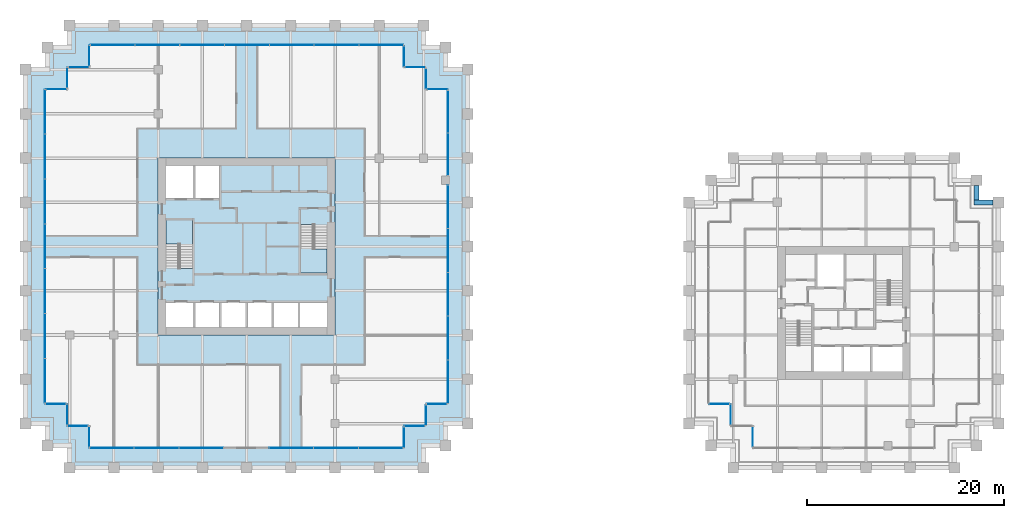
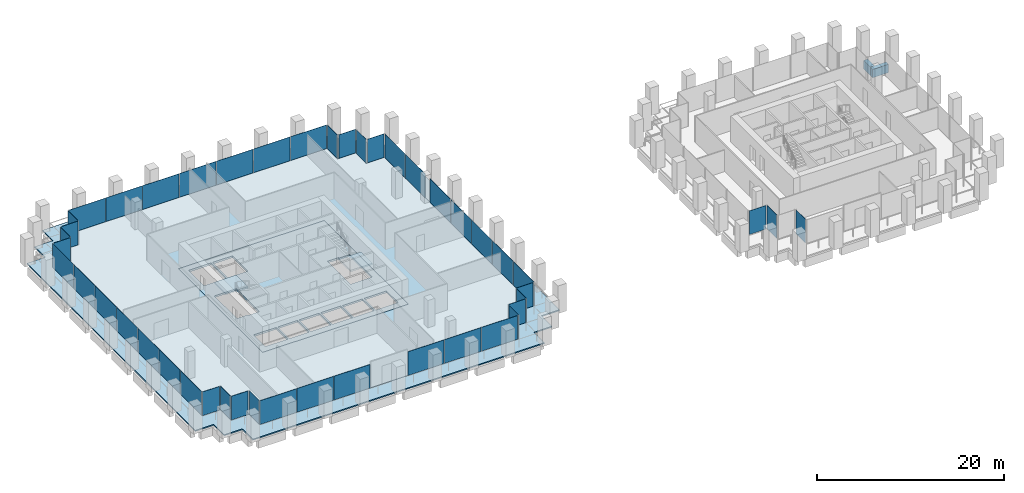
# One storey, part 48 of 54: 46 plates, 5 slabs, 2 beams, 27 elements without a shape of their own.
"""IFC4 building model written with IfcOpenShell, lengths in metres."""

from ifc_helpers import new_model, si_unit, direction, frame, origin, origin_2d, place, context, subcontext, project, spatial, polyline, rectangle, outline, extrude, material, layer, layer_set, material_profile, profile_set, type_object, element, aggregate, save


model = new_model("IFC4")

# Units and contexts
model_context = context("Model", 3, precision=1e-05, world=origin(), true_north=direction((0.0, 1.0)))
body_context = subcontext(model_context, "Body", "Model", "MODEL_VIEW")
ifc_project = project(units=[si_unit("LENGTHUNIT", "METRE"), si_unit("AREAUNIT", "SQUARE_METRE"), si_unit("VOLUMEUNIT", "CUBIC_METRE"), si_unit("PLANEANGLEUNIT", "RADIAN"), si_unit("MASSUNIT", "GRAM", prefix="KILO")], contexts=[model_context])

# Site, building, storey
site_placement = place(None, origin())
site = spatial("IfcSite", under=ifc_project, at=site_placement, CompositionType="ELEMENT")
building_placement = place(site_placement, origin())
building = spatial("IfcBuilding", under=site, at=building_placement, Name="Altepetl Exchange Towers", CompositionType="ELEMENT")
storey_placement = place(building_placement, frame((0.0, 0.0, 61.800048828125)))
storey = spatial("IfcBuildingStorey", under=building, at=storey_placement, Name="L14", CompositionType="ELEMENT", Elevation=61.800048828125)

# Beams
ifc_material_1 = material(Name="Concrete C50/60 precast with cantera amarilla facing", Category="concrete")
ifc_material_profile = material_profile(ifc_material_1, rectangle(XDim=0.5, YDim=1.10009765625, at=origin_2d()), Name="500 x 1100")
ifc_profile_set = profile_set([ifc_material_profile], Name="Concrete C50/60 precast with cantera amarilla facing")
beam_type = type_object("IfcBeamType", Name="Spandrel beam 500x1100 cantera amarilla", PredefinedType="SPANDREL", material=ifc_profile_set)
beam_1_placement = place(storey_placement, frame((125.449951171875, 54.0, -0.699951171875), z_axis=(-1.0, 0.0, 0.0), x_axis=(0.0, -1.0, 0.0)))
element("IfcBeam", 1, at=beam_1_placement, inside=storey, type_object=beam_type, Name="sp:B:L14:014", PredefinedType="SPANDREL", context=body_context, shape_type="SweptSolid", body=[
    extrude(rectangle(XDim=0.5, YDim=1.10009765625, at=origin_2d()), origin(), (0.0, 0.0, 1.0), 1.949951171875),
])
beam_2_placement = place(storey_placement, frame((123.75, 54.25, -0.699951171875), z_axis=(0.0, 1.0, 0.0), x_axis=(-1.0, 0.0, 0.0)))
element("IfcBeam", 2, at=beam_2_placement, inside=storey, type_object=beam_type, Name="sp:B:L14:015", PredefinedType="SPANDREL", context=body_context, shape_type="SweptSolid", body=[
    extrude(rectangle(XDim=0.5, YDim=1.10009765625, at=origin_2d()), origin(), (0.0, 0.0, 1.0), 1.449951171875),
])

# Slabs
ifc_material_2 = material(Name="Concrete C40/50", Category="concrete")
ifc_layer_1 = layer(ifc_material_2, 0.14990234375)
ifc_layer_set_1 = layer_set([ifc_layer_1], Name="Concrete C40/50")
slab_type_1 = type_object("IfcSlabType", Name="Composite floor slab 150", PredefinedType="FLOOR", material=ifc_layer_set_1)
slab_1_placement = place(storey_placement, frame((0.0, 0.0, -0.150146484375)))
element("IfcSlab", 3, at=slab_1_placement, inside=storey, type_object=slab_type_1, Name="slab:A:L14:strip0", PredefinedType="FLOOR", context=body_context, shape_type="SweptSolid", body=[
    extrude(outline(polyline([(31.25, 67.75), (31.25, 65.5), (29.0, 65.5), (29.0, 33.5), (31.25, 33.5), (31.25, 31.25), (33.5, 31.25), (33.5, 29.0), (65.5, 29.0), (65.5, 31.25), (67.75, 31.25), (67.75, 33.5), (70.0, 33.5), (70.0, 65.5), (67.75, 65.5), (67.75, 67.75), (65.5, 67.75), (65.5, 70.0), (33.5, 70.0), (33.5, 67.75), (31.25, 67.75)]), holes=[polyline([(58.5, 58.5), (58.5, 40.5), (40.5, 40.5), (40.5, 58.5), (58.5, 58.5)])]), origin(), (0.0, 0.0, 1.0), 0.150146484375),
])
ifc_layer_2 = layer(ifc_material_2, 0.25)
ifc_layer_set_2 = layer_set([ifc_layer_2], Name="Concrete C40/50")
slab_type_2 = type_object("IfcSlabType", Name="Core floor slab 250", PredefinedType="FLOOR", material=ifc_layer_set_2)
slab_2_placement = place(storey_placement, frame((0.0, 0.0, -0.25)))
element("IfcSlab", 4, at=slab_2_placement, inside=storey, type_object=slab_type_2, Name="slab:A:L14:core0", PredefinedType="FLOOR", context=body_context, shape_type="SweptSolid", body=[
    extrude(outline(polyline([(40.5, 40.5), (58.5, 40.5), (58.5, 58.5), (40.5, 58.5), (40.5, 40.5)]), holes=[polyline([(41.300048828125, 43.800048828125), (44.06689453125, 43.800048828125), (44.06689453125, 41.300048828125), (41.300048828125, 41.300048828125), (41.300048828125, 43.800048828125)]), polyline([(44.26708984375, 43.800048828125), (46.73291015625, 43.800048828125), (46.73291015625, 41.300048828125), (44.26708984375, 41.300048828125), (44.26708984375, 43.800048828125)]), polyline([(46.93310546875, 43.800048828125), (49.39990234375, 43.800048828125), (49.39990234375, 41.300048828125), (46.93310546875, 41.300048828125), (46.93310546875, 43.800048828125)]), polyline([(52.06689453125, 43.800048828125), (52.06689453125, 41.300048828125), (49.60009765625, 41.300048828125), (49.60009765625, 43.800048828125), (52.06689453125, 43.800048828125)]), polyline([(54.73291015625, 43.800048828125), (54.73291015625, 41.300048828125), (52.26708984375, 41.300048828125), (52.26708984375, 43.800048828125), (54.73291015625, 43.800048828125)]), polyline([(54.93310546875, 43.800048828125), (57.699951171875, 43.800048828125), (57.699951171875, 41.300048828125), (54.93310546875, 41.300048828125), (54.93310546875, 43.800048828125)]), polyline([(55.0, 51.7490234375), (56.39990234375, 51.7490234375), (56.39990234375, 51.64990234375), (57.699951171875, 51.64990234375), (57.699951171875, 46.800048828125), (55.0, 46.800048828125), (55.0, 51.7490234375)]), polyline([(44.0, 47.2509765625), (42.60009765625, 47.2509765625), (42.60009765625, 47.35009765625), (41.300048828125, 47.35009765625), (41.300048828125, 52.199951171875), (44.0, 52.199951171875), (44.0, 47.2509765625)]), polyline([(44.06689453125, 57.699951171875), (44.06689453125, 54.39990234375), (41.300048828125, 54.39990234375), (41.300048828125, 57.699951171875), (44.06689453125, 57.699951171875)]), polyline([(46.73291015625, 57.699951171875), (46.73291015625, 54.39990234375), (44.26708984375, 54.39990234375), (44.26708984375, 57.699951171875), (46.73291015625, 57.699951171875)])]), origin(), (0.0, 0.0, 1.0), 0.25),
])

# Curtain wall, plate
ifc_material_3 = material(Name="Aluminium 6063-T6 glazing", Category="aluminium")
curtain_wall_type = type_object("IfcCurtainWallType", Name="Loggia glazing system", PredefinedType="NOTDEFINED", material=ifc_material_3)
curtain_wall_1_placement = place(storey_placement, origin())
curtain_wall_1 = element("IfcCurtainWall", 5, at=curtain_wall_1_placement, inside=storey, type_object=curtain_wall_type, Name="CW1 run", PredefinedType="NOTDEFINED")
ifc_material_4 = material(Name="Glass 6-16-6 low emissivity", Category="glass")
ifc_layer_3 = layer(ifc_material_4, 0.028076171875)
ifc_layer_set_3 = layer_set([ifc_layer_3], Name="Glass 6-16-6 low emissivity")
plate_type = type_object("IfcPlateType", Name="Glass panel 28 double glazed", PredefinedType="CURTAIN_PANEL", material=ifc_layer_set_3)
plate_1_placement = place(storey_placement, frame((30.16259765625, 65.5, 0.0), z_axis=(0.0, 0.0, 1.0), x_axis=(-1.0, 0.0, 0.0)))
plate_1 = element("IfcPlate", 6, at=plate_1_placement, type_object=plate_type, Name="GP1 panel", PredefinedType="CURTAIN_PANEL", context=body_context, shape_type="SweptSolid", body=[
    extrude(rectangle(XDim=2.054931640625, YDim=0.028076171875, at=origin_2d()), origin(), (0.0, 0.0, 1.0), 3.10009765625),
])
aggregate(curtain_wall_1, [plate_1])

# Curtain wall, plates
curtain_wall_2_placement = place(storey_placement, origin())
curtain_wall_2 = element("IfcCurtainWall", 7, at=curtain_wall_2_placement, inside=storey, type_object=curtain_wall_type, Name="CW1 run", PredefinedType="NOTDEFINED")
plate_2_placement = place(storey_placement, frame((29.0, 63.20458984375, 0.0), z_axis=(0.0, 0.0, 1.0), x_axis=(0.0, -1.0, 0.0)))
plate_2 = element("IfcPlate", 8, at=plate_2_placement, type_object=plate_type, Name="GP1 panel", PredefinedType="CURTAIN_PANEL", context=body_context, shape_type="SweptSolid", body=[
    extrude(rectangle(XDim=4.470703125, YDim=0.028076171875, at=origin_2d()), origin(), (0.0, 0.0, 1.0), 3.10009765625),
])
plate_3_placement = place(storey_placement, frame((29.0, 58.658935546875, 0.0), z_axis=(0.0, 0.0, 1.0), x_axis=(0.0, -1.0, 0.0)))
plate_3 = element("IfcPlate", 9, at=plate_3_placement, type_object=plate_type, Name="GP1 panel", PredefinedType="CURTAIN_PANEL", context=body_context, shape_type="SweptSolid", body=[
    extrude(rectangle(XDim=4.500732421875, YDim=0.028076171875, at=origin_2d()), origin(), (0.0, 0.0, 1.0), 3.10009765625),
])
plate_4_placement = place(storey_placement, frame((29.0, 54.09814453125, 0.0), z_axis=(0.0, 0.0, 1.0), x_axis=(0.0, -1.0, 0.0)))
plate_4 = element("IfcPlate", 10, at=plate_4_placement, type_object=plate_type, Name="GP1 panel", PredefinedType="CURTAIN_PANEL", context=body_context, shape_type="SweptSolid", body=[
    extrude(rectangle(XDim=4.500732421875, YDim=0.028076171875, at=origin_2d()), origin(), (0.0, 0.0, 1.0), 3.10009765625),
])
plate_5_placement = place(storey_placement, frame((29.0, 49.53759765625, 0.0), z_axis=(0.0, 0.0, 1.0), x_axis=(0.0, -1.0, 0.0)))
plate_5 = element("IfcPlate", 11, at=plate_5_placement, type_object=plate_type, Name="GP1 panel", PredefinedType="CURTAIN_PANEL", context=body_context, shape_type="SweptSolid", body=[
    extrude(rectangle(XDim=4.500732421875, YDim=0.028076171875, at=origin_2d()), origin(), (0.0, 0.0, 1.0), 3.10009765625),
])
plate_6_placement = place(storey_placement, frame((29.0, 44.976806640625, 0.0), z_axis=(0.0, 0.0, 1.0), x_axis=(0.0, -1.0, 0.0)))
plate_6 = element("IfcPlate", 12, at=plate_6_placement, type_object=plate_type, Name="GP1 panel", PredefinedType="CURTAIN_PANEL", context=body_context, shape_type="SweptSolid", body=[
    extrude(rectangle(XDim=4.500732421875, YDim=0.028076171875, at=origin_2d()), origin(), (0.0, 0.0, 1.0), 3.10009765625),
])
plate_7_placement = place(storey_placement, frame((29.0, 40.416015625, 0.0), z_axis=(0.0, 0.0, 1.0), x_axis=(0.0, -1.0, 0.0)))
plate_7 = element("IfcPlate", 13, at=plate_7_placement, type_object=plate_type, Name="GP1 panel", PredefinedType="CURTAIN_PANEL", context=body_context, shape_type="SweptSolid", body=[
    extrude(rectangle(XDim=4.500732421875, YDim=0.028076171875, at=origin_2d()), origin(), (0.0, 0.0, 1.0), 3.10009765625),
])
plate_8_placement = place(storey_placement, frame((29.0, 35.870361328125, 0.0), z_axis=(0.0, 0.0, 1.0), x_axis=(0.0, -1.0, 0.0)))
plate_8 = element("IfcPlate", 14, at=plate_8_placement, type_object=plate_type, Name="GP1 panel", PredefinedType="CURTAIN_PANEL", context=body_context, shape_type="SweptSolid", body=[
    extrude(rectangle(XDim=4.470703125, YDim=0.028076171875, at=origin_2d()), origin(), (0.0, 0.0, 1.0), 3.10009765625),
])
aggregate(curtain_wall_2, [plate_2, plate_3, plate_4, plate_5, plate_6, plate_7, plate_8])

# Curtain wall, plate
curtain_wall_3_placement = place(storey_placement, origin())
curtain_wall_3 = element("IfcCurtainWall", 15, at=curtain_wall_3_placement, inside=storey, type_object=curtain_wall_type, Name="CW1 run", PredefinedType="NOTDEFINED")
plate_9_placement = place(storey_placement, frame((30.08740234375, 33.5, 0.0)))
plate_9 = element("IfcPlate", 16, at=plate_9_placement, type_object=plate_type, Name="GP1 panel", PredefinedType="CURTAIN_PANEL", context=body_context, shape_type="SweptSolid", body=[
    extrude(rectangle(XDim=2.054931640625, YDim=0.028076171875, at=origin_2d()), origin(), (0.0, 0.0, 1.0), 3.10009765625),
])
aggregate(curtain_wall_3, [plate_9])

curtain_wall_4_placement = place(storey_placement, origin())
curtain_wall_4 = element("IfcCurtainWall", 17, at=curtain_wall_4_placement, inside=storey, type_object=curtain_wall_type, Name="CW1 run", PredefinedType="NOTDEFINED")
plate_10_placement = place(storey_placement, frame((31.25, 32.41259765625, 0.0), z_axis=(0.0, 0.0, 1.0), x_axis=(0.0, -1.0, 0.0)))
plate_10 = element("IfcPlate", 18, at=plate_10_placement, type_object=plate_type, Name="GP1 panel", PredefinedType="CURTAIN_PANEL", context=body_context, shape_type="SweptSolid", body=[
    extrude(rectangle(XDim=2.054931640625, YDim=0.028076171875, at=origin_2d()), origin(), (0.0, 0.0, 1.0), 3.10009765625),
])
aggregate(curtain_wall_4, [plate_10])

curtain_wall_5_placement = place(storey_placement, origin())
curtain_wall_5 = element("IfcCurtainWall", 19, at=curtain_wall_5_placement, inside=storey, type_object=curtain_wall_type, Name="CW1 run", PredefinedType="NOTDEFINED")
plate_11_placement = place(storey_placement, frame((32.33740234375, 31.25, 0.0)))
plate_11 = element("IfcPlate", 20, at=plate_11_placement, type_object=plate_type, Name="GP1 panel", PredefinedType="CURTAIN_PANEL", context=body_context, shape_type="SweptSolid", body=[
    extrude(rectangle(XDim=2.054931640625, YDim=0.028076171875, at=origin_2d()), origin(), (0.0, 0.0, 1.0), 3.10009765625),
])
aggregate(curtain_wall_5, [plate_11])

curtain_wall_6_placement = place(storey_placement, origin())
curtain_wall_6 = element("IfcCurtainWall", 21, at=curtain_wall_6_placement, inside=storey, type_object=curtain_wall_type, Name="CW1 run", PredefinedType="NOTDEFINED")
plate_12_placement = place(storey_placement, frame((33.5, 30.16259765625, 0.0), z_axis=(0.0, 0.0, 1.0), x_axis=(0.0, -1.0, 0.0)))
plate_12 = element("IfcPlate", 22, at=plate_12_placement, type_object=plate_type, Name="GP1 panel", PredefinedType="CURTAIN_PANEL", context=body_context, shape_type="SweptSolid", body=[
    extrude(rectangle(XDim=2.054931640625, YDim=0.028076171875, at=origin_2d()), origin(), (0.0, 0.0, 1.0), 3.10009765625),
])
aggregate(curtain_wall_6, [plate_12])

# Curtain wall, plates
curtain_wall_7_placement = place(storey_placement, origin())
curtain_wall_7 = element("IfcCurtainWall", 23, at=curtain_wall_7_placement, inside=storey, type_object=curtain_wall_type, Name="CW1 run", PredefinedType="NOTDEFINED")
plate_13_placement = place(storey_placement, frame((35.79541015625, 29.0, 0.0)))
plate_13 = element("IfcPlate", 24, at=plate_13_placement, type_object=plate_type, Name="GP1 panel", PredefinedType="CURTAIN_PANEL", context=body_context, shape_type="SweptSolid", body=[
    extrude(rectangle(XDim=4.470703125, YDim=0.028076171875, at=origin_2d()), origin(), (0.0, 0.0, 1.0), 3.10009765625),
])
plate_14_placement = place(storey_placement, frame((40.341064453125, 29.0, 0.0)))
plate_14 = element("IfcPlate", 25, at=plate_14_placement, type_object=plate_type, Name="GP1 panel", PredefinedType="CURTAIN_PANEL", context=body_context, shape_type="SweptSolid", body=[
    extrude(rectangle(XDim=4.500732421875, YDim=0.028076171875, at=origin_2d()), origin(), (0.0, 0.0, 1.0), 3.10009765625),
])
plate_15_placement = place(storey_placement, frame((44.88671875, 29.0, 0.0)))
plate_15 = element("IfcPlate", 26, at=plate_15_placement, type_object=plate_type, Name="GP1 panel", PredefinedType="CURTAIN_PANEL", context=body_context, shape_type="SweptSolid", body=[
    extrude(rectangle(XDim=4.470703125, YDim=0.028076171875, at=origin_2d()), origin(), (0.0, 0.0, 1.0), 3.10009765625),
])
aggregate(curtain_wall_7, [plate_13, plate_14, plate_15])

curtain_wall_8_placement = place(storey_placement, origin())
curtain_wall_8 = element("IfcCurtainWall", 27, at=curtain_wall_8_placement, inside=storey, type_object=curtain_wall_type, Name="CW1 run", PredefinedType="NOTDEFINED")
plate_16_placement = place(storey_placement, frame((54.038330078125, 29.0, 0.0)))
plate_16 = element("IfcPlate", 28, at=plate_16_placement, type_object=plate_type, Name="GP1 panel", PredefinedType="CURTAIN_PANEL", context=body_context, shape_type="SweptSolid", body=[
    extrude(rectangle(XDim=4.470703125, YDim=0.028076171875, at=origin_2d()), origin(), (0.0, 0.0, 1.0), 3.10009765625),
])
plate_17_placement = place(storey_placement, frame((58.583984375, 29.0, 0.0)))
plate_17 = element("IfcPlate", 29, at=plate_17_placement, type_object=plate_type, Name="GP1 panel", PredefinedType="CURTAIN_PANEL", context=body_context, shape_type="SweptSolid", body=[
    extrude(rectangle(XDim=4.500732421875, YDim=0.028076171875, at=origin_2d()), origin(), (0.0, 0.0, 1.0), 3.10009765625),
])
plate_18_placement = place(storey_placement, frame((63.129638671875, 29.0, 0.0)))
plate_18 = element("IfcPlate", 30, at=plate_18_placement, type_object=plate_type, Name="GP1 panel", PredefinedType="CURTAIN_PANEL", context=body_context, shape_type="SweptSolid", body=[
    extrude(rectangle(XDim=4.470703125, YDim=0.028076171875, at=origin_2d()), origin(), (0.0, 0.0, 1.0), 3.10009765625),
])
aggregate(curtain_wall_8, [plate_16, plate_17, plate_18])

# Curtain wall, plate
curtain_wall_9_placement = place(storey_placement, origin())
curtain_wall_9 = element("IfcCurtainWall", 31, at=curtain_wall_9_placement, inside=storey, type_object=curtain_wall_type, Name="CW1 run", PredefinedType="NOTDEFINED")
plate_19_placement = place(storey_placement, frame((65.5, 30.08740234375, 0.0), z_axis=(0.0, 0.0, 1.0), x_axis=(0.0, 1.0, 0.0)))
plate_19 = element("IfcPlate", 32, at=plate_19_placement, type_object=plate_type, Name="GP1 panel", PredefinedType="CURTAIN_PANEL", context=body_context, shape_type="SweptSolid", body=[
    extrude(rectangle(XDim=2.054931640625, YDim=0.028076171875, at=origin_2d()), origin(), (0.0, 0.0, 1.0), 3.10009765625),
])
aggregate(curtain_wall_9, [plate_19])

curtain_wall_10_placement = place(storey_placement, origin())
curtain_wall_10 = element("IfcCurtainWall", 33, at=curtain_wall_10_placement, inside=storey, type_object=curtain_wall_type, Name="CW1 run", PredefinedType="NOTDEFINED")
plate_20_placement = place(storey_placement, frame((66.58740234375, 31.25, 0.0)))
plate_20 = element("IfcPlate", 34, at=plate_20_placement, type_object=plate_type, Name="GP1 panel", PredefinedType="CURTAIN_PANEL", context=body_context, shape_type="SweptSolid", body=[
    extrude(rectangle(XDim=2.054931640625, YDim=0.028076171875, at=origin_2d()), origin(), (0.0, 0.0, 1.0), 3.10009765625),
])
aggregate(curtain_wall_10, [plate_20])

curtain_wall_11_placement = place(storey_placement, origin())
curtain_wall_11 = element("IfcCurtainWall", 35, at=curtain_wall_11_placement, inside=storey, type_object=curtain_wall_type, Name="CW1 run", PredefinedType="NOTDEFINED")
plate_21_placement = place(storey_placement, frame((67.75, 32.33740234375, 0.0), z_axis=(0.0, 0.0, 1.0), x_axis=(0.0, 1.0, 0.0)))
plate_21 = element("IfcPlate", 36, at=plate_21_placement, type_object=plate_type, Name="GP1 panel", PredefinedType="CURTAIN_PANEL", context=body_context, shape_type="SweptSolid", body=[
    extrude(rectangle(XDim=2.054931640625, YDim=0.028076171875, at=origin_2d()), origin(), (0.0, 0.0, 1.0), 3.10009765625),
])
aggregate(curtain_wall_11, [plate_21])

curtain_wall_12_placement = place(storey_placement, origin())
curtain_wall_12 = element("IfcCurtainWall", 37, at=curtain_wall_12_placement, inside=storey, type_object=curtain_wall_type, Name="CW1 run", PredefinedType="NOTDEFINED")
plate_22_placement = place(storey_placement, frame((68.83740234375, 33.5, 0.0)))
plate_22 = element("IfcPlate", 38, at=plate_22_placement, type_object=plate_type, Name="GP1 panel", PredefinedType="CURTAIN_PANEL", context=body_context, shape_type="SweptSolid", body=[
    extrude(rectangle(XDim=2.054931640625, YDim=0.028076171875, at=origin_2d()), origin(), (0.0, 0.0, 1.0), 3.10009765625),
])
aggregate(curtain_wall_12, [plate_22])

# Curtain wall, plates
curtain_wall_13_placement = place(storey_placement, origin())
curtain_wall_13 = element("IfcCurtainWall", 39, at=curtain_wall_13_placement, inside=storey, type_object=curtain_wall_type, Name="CW1 run", PredefinedType="NOTDEFINED")
plate_23_placement = place(storey_placement, frame((70.0, 35.74560546875, 0.0), z_axis=(0.0, 0.0, 1.0), x_axis=(0.0, 1.0, 0.0)))
plate_23 = element("IfcPlate", 40, at=plate_23_placement, type_object=plate_type, Name="GP1 panel", PredefinedType="CURTAIN_PANEL", context=body_context, shape_type="SweptSolid", body=[
    extrude(rectangle(XDim=4.37109375, YDim=0.028076171875, at=origin_2d()), origin(), (0.0, 0.0, 1.0), 3.10009765625),
])
plate_24_placement = place(storey_placement, frame((70.0, 40.19140625, 0.0), z_axis=(0.0, 0.0, 1.0), x_axis=(0.0, 1.0, 0.0)))
plate_24 = element("IfcPlate", 41, at=plate_24_placement, type_object=plate_type, Name="GP1 panel", PredefinedType="CURTAIN_PANEL", context=body_context, shape_type="SweptSolid", body=[
    extrude(rectangle(XDim=4.40087890625, YDim=0.028076171875, at=origin_2d()), origin(), (0.0, 0.0, 1.0), 3.10009765625),
])
plate_25_placement = place(storey_placement, frame((70.0, 44.652587890625, 0.0), z_axis=(0.0, 0.0, 1.0), x_axis=(0.0, 1.0, 0.0)))
plate_25 = element("IfcPlate", 42, at=plate_25_placement, type_object=plate_type, Name="GP1 panel", PredefinedType="CURTAIN_PANEL", context=body_context, shape_type="SweptSolid", body=[
    extrude(rectangle(XDim=4.40087890625, YDim=0.028076171875, at=origin_2d()), origin(), (0.0, 0.0, 1.0), 3.10009765625),
])
plate_26_placement = place(storey_placement, frame((70.0, 49.113525390625, 0.0), z_axis=(0.0, 0.0, 1.0), x_axis=(0.0, 1.0, 0.0)))
plate_26 = element("IfcPlate", 43, at=plate_26_placement, type_object=plate_type, Name="GP1 panel", PredefinedType="CURTAIN_PANEL", context=body_context, shape_type="SweptSolid", body=[
    extrude(rectangle(XDim=4.40087890625, YDim=0.028076171875, at=origin_2d()), origin(), (0.0, 0.0, 1.0), 3.10009765625),
])
plate_27_placement = place(storey_placement, frame((70.0, 53.5595703125, 0.0), z_axis=(0.0, 0.0, 1.0), x_axis=(0.0, 1.0, 0.0)))
plate_27 = element("IfcPlate", 44, at=plate_27_placement, type_object=plate_type, Name="GP1 panel", PredefinedType="CURTAIN_PANEL", context=body_context, shape_type="SweptSolid", body=[
    extrude(rectangle(XDim=4.37109375, YDim=0.028076171875, at=origin_2d()), origin(), (0.0, 0.0, 1.0), 3.10009765625),
])
aggregate(curtain_wall_13, [plate_23, plate_24, plate_25, plate_26, plate_27])

curtain_wall_14_placement = place(storey_placement, origin())
curtain_wall_14 = element("IfcCurtainWall", 45, at=curtain_wall_14_placement, inside=storey, type_object=curtain_wall_type, Name="CW1 run", PredefinedType="NOTDEFINED")
plate_28_placement = place(storey_placement, frame((70.0, 58.892578125, 0.0), z_axis=(0.0, 0.0, 1.0), x_axis=(0.0, 1.0, 0.0)))
plate_28 = element("IfcPlate", 46, at=plate_28_placement, type_object=plate_type, Name="GP1 panel", PredefinedType="CURTAIN_PANEL", context=body_context, shape_type="SweptSolid", body=[
    extrude(rectangle(XDim=4.27490234375, YDim=0.028076171875, at=origin_2d()), origin(), (0.0, 0.0, 1.0), 3.10009765625),
])
plate_29_placement = place(storey_placement, frame((70.0, 63.2275390625, 0.0), z_axis=(0.0, 0.0, 1.0), x_axis=(0.0, 1.0, 0.0)))
plate_29 = element("IfcPlate", 47, at=plate_29_placement, type_object=plate_type, Name="GP1 panel", PredefinedType="CURTAIN_PANEL", context=body_context, shape_type="SweptSolid", body=[
    extrude(rectangle(XDim=4.27490234375, YDim=0.028076171875, at=origin_2d()), origin(), (0.0, 0.0, 1.0), 3.10009765625),
])
aggregate(curtain_wall_14, [plate_28, plate_29])

# Curtain wall, plate
curtain_wall_15_placement = place(storey_placement, origin())
curtain_wall_15 = element("IfcCurtainWall", 48, at=curtain_wall_15_placement, inside=storey, type_object=curtain_wall_type, Name="CW1 run", PredefinedType="NOTDEFINED")
plate_30_placement = place(storey_placement, frame((68.91259765625, 65.5, 0.0), z_axis=(0.0, 0.0, 1.0), x_axis=(-1.0, 0.0, 0.0)))
plate_30 = element("IfcPlate", 49, at=plate_30_placement, type_object=plate_type, Name="GP1 panel", PredefinedType="CURTAIN_PANEL", context=body_context, shape_type="SweptSolid", body=[
    extrude(rectangle(XDim=2.054931640625, YDim=0.028076171875, at=origin_2d()), origin(), (0.0, 0.0, 1.0), 3.10009765625),
])
aggregate(curtain_wall_15, [plate_30])

curtain_wall_16_placement = place(storey_placement, origin())
curtain_wall_16 = element("IfcCurtainWall", 50, at=curtain_wall_16_placement, inside=storey, type_object=curtain_wall_type, Name="CW1 run", PredefinedType="NOTDEFINED")
plate_31_placement = place(storey_placement, frame((67.75, 66.58740234375, 0.0), z_axis=(0.0, 0.0, 1.0), x_axis=(0.0, 1.0, 0.0)))
plate_31 = element("IfcPlate", 51, at=plate_31_placement, type_object=plate_type, Name="GP1 panel", PredefinedType="CURTAIN_PANEL", context=body_context, shape_type="SweptSolid", body=[
    extrude(rectangle(XDim=2.054931640625, YDim=0.028076171875, at=origin_2d()), origin(), (0.0, 0.0, 1.0), 3.10009765625),
])
aggregate(curtain_wall_16, [plate_31])

curtain_wall_17_placement = place(storey_placement, origin())
curtain_wall_17 = element("IfcCurtainWall", 52, at=curtain_wall_17_placement, inside=storey, type_object=curtain_wall_type, Name="CW1 run", PredefinedType="NOTDEFINED")
plate_32_placement = place(storey_placement, frame((66.66259765625, 67.75, 0.0), z_axis=(0.0, 0.0, 1.0), x_axis=(-1.0, 0.0, 0.0)))
plate_32 = element("IfcPlate", 53, at=plate_32_placement, type_object=plate_type, Name="GP1 panel", PredefinedType="CURTAIN_PANEL", context=body_context, shape_type="SweptSolid", body=[
    extrude(rectangle(XDim=2.054931640625, YDim=0.028076171875, at=origin_2d()), origin(), (0.0, 0.0, 1.0), 3.10009765625),
])
aggregate(curtain_wall_17, [plate_32])

curtain_wall_18_placement = place(storey_placement, origin())
curtain_wall_18 = element("IfcCurtainWall", 54, at=curtain_wall_18_placement, inside=storey, type_object=curtain_wall_type, Name="CW1 run", PredefinedType="NOTDEFINED")
plate_33_placement = place(storey_placement, frame((65.5, 68.83740234375, 0.0), z_axis=(0.0, 0.0, 1.0), x_axis=(0.0, 1.0, 0.0)))
plate_33 = element("IfcPlate", 55, at=plate_33_placement, type_object=plate_type, Name="GP1 panel", PredefinedType="CURTAIN_PANEL", context=body_context, shape_type="SweptSolid", body=[
    extrude(rectangle(XDim=2.054931640625, YDim=0.028076171875, at=origin_2d()), origin(), (0.0, 0.0, 1.0), 3.10009765625),
])
aggregate(curtain_wall_18, [plate_33])

# Curtain wall, plates
curtain_wall_19_placement = place(storey_placement, origin())
curtain_wall_19 = element("IfcCurtainWall", 56, at=curtain_wall_19_placement, inside=storey, type_object=curtain_wall_type, Name="CW1 run", PredefinedType="NOTDEFINED")
plate_34_placement = place(storey_placement, frame((63.20458984375, 70.0, 0.0), z_axis=(0.0, 0.0, 1.0), x_axis=(-1.0, 0.0, 0.0)))
plate_34 = element("IfcPlate", 57, at=plate_34_placement, type_object=plate_type, Name="GP1 panel", PredefinedType="CURTAIN_PANEL", context=body_context, shape_type="SweptSolid", body=[
    extrude(rectangle(XDim=4.470703125, YDim=0.028076171875, at=origin_2d()), origin(), (0.0, 0.0, 1.0), 3.10009765625),
])
plate_35_placement = place(storey_placement, frame((58.658935546875, 70.0, 0.0), z_axis=(0.0, 0.0, 1.0), x_axis=(-1.0, 0.0, 0.0)))
plate_35 = element("IfcPlate", 58, at=plate_35_placement, type_object=plate_type, Name="GP1 panel", PredefinedType="CURTAIN_PANEL", context=body_context, shape_type="SweptSolid", body=[
    extrude(rectangle(XDim=4.500732421875, YDim=0.028076171875, at=origin_2d()), origin(), (0.0, 0.0, 1.0), 3.10009765625),
])
plate_36_placement = place(storey_placement, frame((54.09814453125, 70.0, 0.0), z_axis=(0.0, 0.0, 1.0), x_axis=(-1.0, 0.0, 0.0)))
plate_36 = element("IfcPlate", 59, at=plate_36_placement, type_object=plate_type, Name="GP1 panel", PredefinedType="CURTAIN_PANEL", context=body_context, shape_type="SweptSolid", body=[
    extrude(rectangle(XDim=4.500732421875, YDim=0.028076171875, at=origin_2d()), origin(), (0.0, 0.0, 1.0), 3.10009765625),
])
plate_37_placement = place(storey_placement, frame((49.53759765625, 70.0, 0.0), z_axis=(0.0, 0.0, 1.0), x_axis=(-1.0, 0.0, 0.0)))
plate_37 = element("IfcPlate", 60, at=plate_37_placement, type_object=plate_type, Name="GP1 panel", PredefinedType="CURTAIN_PANEL", context=body_context, shape_type="SweptSolid", body=[
    extrude(rectangle(XDim=4.500732421875, YDim=0.028076171875, at=origin_2d()), origin(), (0.0, 0.0, 1.0), 3.10009765625),
])
plate_38_placement = place(storey_placement, frame((44.976806640625, 70.0, 0.0), z_axis=(0.0, 0.0, 1.0), x_axis=(-1.0, 0.0, 0.0)))
plate_38 = element("IfcPlate", 61, at=plate_38_placement, type_object=plate_type, Name="GP1 panel", PredefinedType="CURTAIN_PANEL", context=body_context, shape_type="SweptSolid", body=[
    extrude(rectangle(XDim=4.500732421875, YDim=0.028076171875, at=origin_2d()), origin(), (0.0, 0.0, 1.0), 3.10009765625),
])
plate_39_placement = place(storey_placement, frame((40.416015625, 70.0, 0.0), z_axis=(0.0, 0.0, 1.0), x_axis=(-1.0, 0.0, 0.0)))
plate_39 = element("IfcPlate", 62, at=plate_39_placement, type_object=plate_type, Name="GP1 panel", PredefinedType="CURTAIN_PANEL", context=body_context, shape_type="SweptSolid", body=[
    extrude(rectangle(XDim=4.500732421875, YDim=0.028076171875, at=origin_2d()), origin(), (0.0, 0.0, 1.0), 3.10009765625),
])
plate_40_placement = place(storey_placement, frame((35.870361328125, 70.0, 0.0), z_axis=(0.0, 0.0, 1.0), x_axis=(-1.0, 0.0, 0.0)))
plate_40 = element("IfcPlate", 63, at=plate_40_placement, type_object=plate_type, Name="GP1 panel", PredefinedType="CURTAIN_PANEL", context=body_context, shape_type="SweptSolid", body=[
    extrude(rectangle(XDim=4.470703125, YDim=0.028076171875, at=origin_2d()), origin(), (0.0, 0.0, 1.0), 3.10009765625),
])
aggregate(curtain_wall_19, [plate_34, plate_35, plate_36, plate_37, plate_38, plate_39, plate_40])

# Curtain wall, plate
curtain_wall_20_placement = place(storey_placement, origin())
curtain_wall_20 = element("IfcCurtainWall", 64, at=curtain_wall_20_placement, inside=storey, type_object=curtain_wall_type, Name="CW1 run", PredefinedType="NOTDEFINED")
plate_41_placement = place(storey_placement, frame((33.5, 68.91259765625, 0.0), z_axis=(0.0, 0.0, 1.0), x_axis=(0.0, -1.0, 0.0)))
plate_41 = element("IfcPlate", 65, at=plate_41_placement, type_object=plate_type, Name="GP1 panel", PredefinedType="CURTAIN_PANEL", context=body_context, shape_type="SweptSolid", body=[
    extrude(rectangle(XDim=2.054931640625, YDim=0.028076171875, at=origin_2d()), origin(), (0.0, 0.0, 1.0), 3.10009765625),
])
aggregate(curtain_wall_20, [plate_41])

curtain_wall_21_placement = place(storey_placement, origin())
curtain_wall_21 = element("IfcCurtainWall", 66, at=curtain_wall_21_placement, inside=storey, type_object=curtain_wall_type, Name="CW1 run", PredefinedType="NOTDEFINED")
plate_42_placement = place(storey_placement, frame((32.41259765625, 67.75, 0.0), z_axis=(0.0, 0.0, 1.0), x_axis=(-1.0, 0.0, 0.0)))
plate_42 = element("IfcPlate", 67, at=plate_42_placement, type_object=plate_type, Name="GP1 panel", PredefinedType="CURTAIN_PANEL", context=body_context, shape_type="SweptSolid", body=[
    extrude(rectangle(XDim=2.054931640625, YDim=0.028076171875, at=origin_2d()), origin(), (0.0, 0.0, 1.0), 3.10009765625),
])
aggregate(curtain_wall_21, [plate_42])

curtain_wall_22_placement = place(storey_placement, origin())
curtain_wall_22 = element("IfcCurtainWall", 68, at=curtain_wall_22_placement, inside=storey, type_object=curtain_wall_type, Name="CW1 run", PredefinedType="NOTDEFINED")
plate_43_placement = place(storey_placement, frame((31.25, 66.66259765625, 0.0), z_axis=(0.0, 0.0, 1.0), x_axis=(0.0, -1.0, 0.0)))
plate_43 = element("IfcPlate", 69, at=plate_43_placement, type_object=plate_type, Name="GP1 panel", PredefinedType="CURTAIN_PANEL", context=body_context, shape_type="SweptSolid", body=[
    extrude(rectangle(XDim=2.054931640625, YDim=0.028076171875, at=origin_2d()), origin(), (0.0, 0.0, 1.0), 3.10009765625),
])
aggregate(curtain_wall_22, [plate_43])

curtain_wall_23_placement = place(storey_placement, origin())
curtain_wall_23 = element("IfcCurtainWall", 70, at=curtain_wall_23_placement, inside=storey, type_object=curtain_wall_type, Name="CW1 run", PredefinedType="NOTDEFINED")
plate_44_placement = place(storey_placement, frame((97.58740234375, 33.5, 0.0)))
plate_44 = element("IfcPlate", 71, at=plate_44_placement, type_object=plate_type, Name="GP1 panel", PredefinedType="CURTAIN_PANEL", context=body_context, shape_type="SweptSolid", body=[
    extrude(rectangle(XDim=2.054931640625, YDim=0.028076171875, at=origin_2d()), origin(), (0.0, 0.0, 1.0), 3.10009765625),
])
aggregate(curtain_wall_23, [plate_44])

curtain_wall_24_placement = place(storey_placement, origin())
curtain_wall_24 = element("IfcCurtainWall", 72, at=curtain_wall_24_placement, inside=storey, type_object=curtain_wall_type, Name="CW1 run", PredefinedType="NOTDEFINED")
plate_45_placement = place(storey_placement, frame((98.75, 32.41259765625, 0.0), z_axis=(0.0, 0.0, 1.0), x_axis=(0.0, -1.0, 0.0)))
plate_45 = element("IfcPlate", 73, at=plate_45_placement, type_object=plate_type, Name="GP1 panel", PredefinedType="CURTAIN_PANEL", context=body_context, shape_type="SweptSolid", body=[
    extrude(rectangle(XDim=2.054931640625, YDim=0.028076171875, at=origin_2d()), origin(), (0.0, 0.0, 1.0), 3.10009765625),
])
aggregate(curtain_wall_24, [plate_45])

curtain_wall_25_placement = place(storey_placement, origin())
curtain_wall_25 = element("IfcCurtainWall", 74, at=curtain_wall_25_placement, inside=storey, type_object=curtain_wall_type, Name="CW1 run", PredefinedType="NOTDEFINED")
plate_46_placement = place(storey_placement, frame((101.0, 30.16259765625, 0.0), z_axis=(0.0, 0.0, 1.0), x_axis=(0.0, -1.0, 0.0)))
plate_46 = element("IfcPlate", 75, at=plate_46_placement, type_object=plate_type, Name="GP1 panel", PredefinedType="CURTAIN_PANEL", context=body_context, shape_type="SweptSolid", body=[
    extrude(rectangle(XDim=2.054931640625, YDim=0.028076171875, at=origin_2d()), origin(), (0.0, 0.0, 1.0), 3.10009765625),
])
aggregate(curtain_wall_25, [plate_46])

# Slab
ifc_layer_4 = layer(ifc_material_2, 0.14990234375)
ifc_layer_set_4 = layer_set([ifc_layer_4], Name="Concrete C40/50")
slab_type_3 = type_object("IfcSlabType", Name="Loggia slab 150", PredefinedType="FLOOR", material=ifc_layer_set_4)
slab_3_placement = place(storey_placement, frame((0.0, 0.0, -0.150146484375)))
element("IfcSlab", 76, at=slab_3_placement, inside=storey, type_object=slab_type_3, Name="slab:A:L14:loggia0", PredefinedType="FLOOR", context=body_context, shape_type="SweptSolid", body=[
    extrude(outline(polyline([(29.25, 67.5), (27.0, 67.5), (27.0, 40.5), (27.0, 31.5), (29.25, 31.5), (29.25, 29.25), (31.5, 29.25), (31.5, 27.0), (58.5, 27.0), (67.5, 27.0), (67.5, 29.25), (69.75, 29.25), (69.75, 31.5), (72.0, 31.5), (72.0, 58.5), (72.0, 67.5), (69.75, 67.5), (69.75, 69.75), (67.5, 69.75), (67.5, 72.0), (40.5, 72.0), (31.5, 72.0), (31.5, 69.75), (29.25, 69.75), (29.25, 67.5)]), holes=[polyline([(29.0, 65.5), (31.25, 65.5), (31.25, 67.75), (33.5, 67.75), (33.5, 70.0), (65.5, 70.0), (65.5, 67.75), (67.75, 67.75), (67.75, 65.5), (70.0, 65.5), (70.0, 33.5), (67.75, 33.5), (67.75, 31.25), (65.5, 31.25), (65.5, 29.0), (33.5, 29.0), (33.5, 31.25), (31.25, 31.25), (31.25, 33.5), (29.0, 33.5), (29.0, 65.5)])]), origin(), (0.0, 0.0, 1.0), 0.150146484375),
])

# Stair, slab
stair_type = type_object("IfcStairType", Name="Exit stair 1300 flights dogleg", PredefinedType="HALF_TURN_STAIR", material=ifc_material_2)
stair_1_placement = place(storey_placement, origin())
stair_1 = element("IfcStair", 77, at=stair_1_placement, inside=storey, type_object=stair_type, Name="Exit stair 1", PredefinedType="HALF_TURN_STAIR")
ifc_layer_5 = layer(ifc_material_2, 0.199951171875)
ifc_layer_set_5 = layer_set([ifc_layer_5], Name="Concrete C40/50")
slab_type_4 = type_object("IfcSlabType", Name="Stair landing 200 reinforced concrete", PredefinedType="LANDING", material=ifc_layer_set_5)
slab_4_placement = place(storey_placement, frame((0.0, 0.0, 1.599853515625)))
slab_4 = element("IfcSlab", 78, at=slab_4_placement, type_object=slab_type_4, Name="ST-A1c landing 1", PredefinedType="LANDING", context=body_context, shape_type="SweptSolid", body=[
    extrude(outline(polyline([(44.0, 49.669921875), (42.699951171875, 49.669921875), (42.699951171875, 49.77001953125), (42.60009765625, 49.77001953125), (42.60009765625, 49.769287109375), (41.300048828125, 49.769287109375), (41.300048828125, 49.77001953125), (41.300048828125, 52.199951171875), (44.0, 52.199951171875), (44.0, 49.77001953125), (44.0, 49.669921875)])), origin(), (0.0, 0.0, 1.0), 0.2001953125),
])
aggregate(stair_1, [slab_4])

stair_2_placement = place(storey_placement, origin())
stair_2 = element("IfcStair", 79, at=stair_2_placement, inside=storey, type_object=stair_type, Name="Exit stair 2", PredefinedType="HALF_TURN_STAIR")
slab_5_placement = place(storey_placement, frame((0.0, 0.0, 1.599853515625)))
slab_5 = element("IfcSlab", 80, at=slab_5_placement, type_object=slab_type_4, Name="ST-A2c landing 1", PredefinedType="LANDING", context=body_context, shape_type="SweptSolid", body=[
    extrude(outline(polyline([(57.699951171875, 46.800048828125), (55.0, 46.800048828125), (55.0, 49.22998046875), (55.0, 49.330078125), (56.300048828125, 49.330078125), (56.300048828125, 49.22998046875), (56.39990234375, 49.22998046875), (56.39990234375, 49.230712890625), (57.699951171875, 49.230712890625), (57.699951171875, 49.22998046875), (57.699951171875, 46.800048828125)])), origin(), (0.0, 0.0, 1.0), 0.2001953125),
])
aggregate(stair_2, [slab_5])

save(model, "model.ifc")
